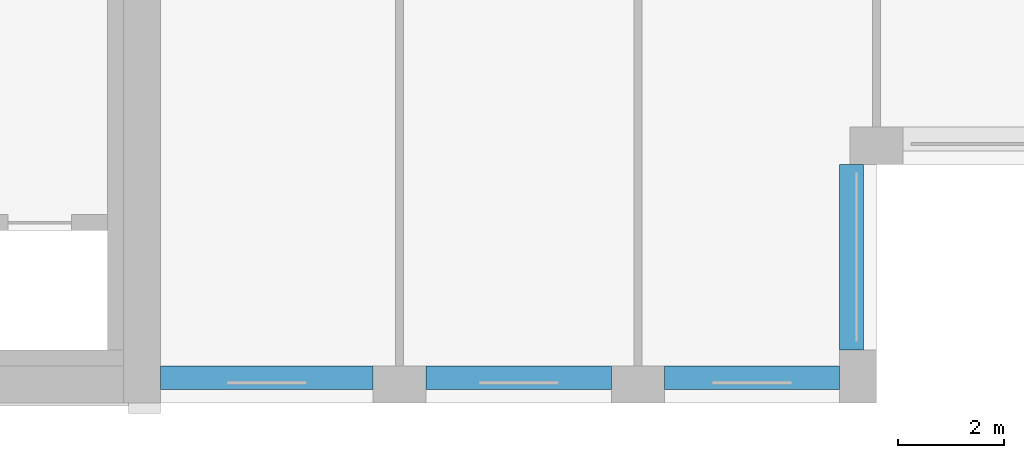
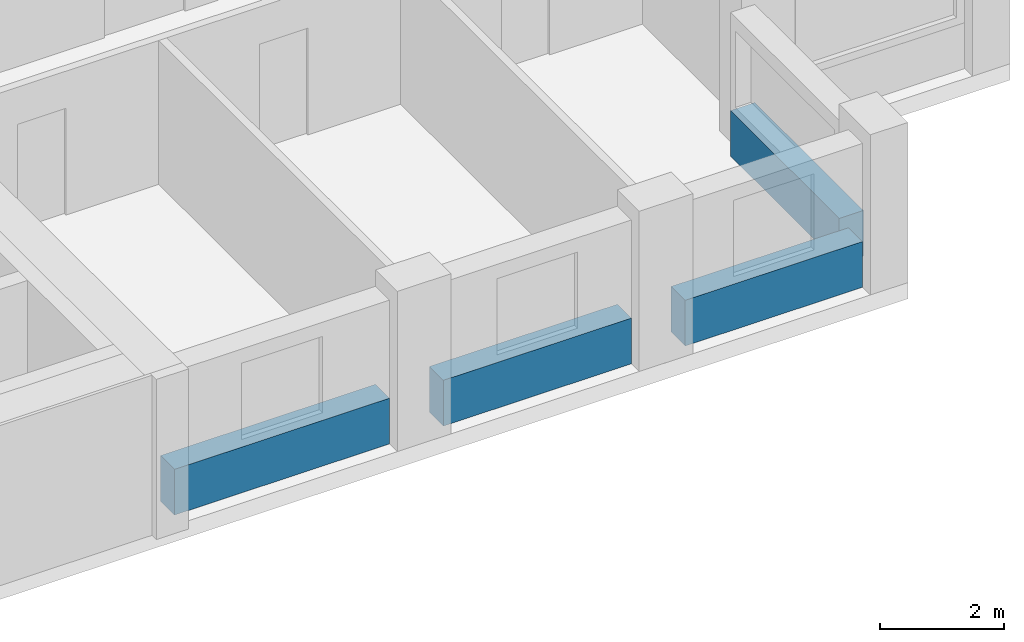
# One storey, part 3 of 15: 4 beams.
"""IFC4 building model written with IfcOpenShell, lengths in metres."""

from ifc_helpers import new_model, si_unit, direction, frame, origin, origin_2d, place, context, subcontext, project, spatial, rectangle, extrude, material, material_profile, profile_set, type_object, element, save


model = new_model("IFC4")

# Units and contexts
model_context = context("Model", 3, precision=1e-05, world=origin(), true_north=direction((0.0, 1.0)))
body_context = subcontext(model_context, "Body", "Model", "MODEL_VIEW")
ifc_project = project(units=[si_unit("LENGTHUNIT", "METRE"), si_unit("AREAUNIT", "SQUARE_METRE"), si_unit("VOLUMEUNIT", "CUBIC_METRE"), si_unit("PLANEANGLEUNIT", "RADIAN"), si_unit("MASSUNIT", "GRAM", prefix="KILO")], contexts=[model_context])

# Site, building, storey
site_placement = place(None, origin())
site = spatial("IfcSite", under=ifc_project, at=site_placement, CompositionType="ELEMENT")
building_placement = place(site_placement, origin())
building = spatial("IfcBuilding", under=site, at=building_placement, Name="Brigalow Station Residences", CompositionType="ELEMENT")
storey_placement = place(building_placement, frame((0.0, 0.0, 153.89990234375)))
storey = spatial("IfcBuildingStorey", under=building, at=storey_placement, Name="L44", CompositionType="ELEMENT", Elevation=153.89990234375)

# Beams
ifc_material = material(Name="Concrete C50", Category="concrete")
ifc_material_profile = material_profile(ifc_material, rectangle(XDim=0.449951171875, YDim=0.89990234375, at=origin_2d()), Name="RC450x900")
ifc_profile_set = profile_set([ifc_material_profile], Name="Concrete C50")
beam_type = type_object("IfcBeamType", Name="SPANDREL BEAM 450x900 C50", PredefinedType="SPANDREL", material=ifc_profile_set)
beam_1_placement = place(storey_placement, frame((54.0, 0.47509765625, 0.4501953125), z_axis=(1.0, 0.0, 0.0), x_axis=(0.0, 1.0, 0.0)))
element("IfcBeam", 1, at=beam_1_placement, inside=storey, type_object=beam_type, Name="L44/spandrel/W-L44-4", PredefinedType="SPANDREL", context=body_context, shape_type="SweptSolid", body=[
    extrude(rectangle(XDim=0.449951171875, YDim=0.89990234375, at=origin_2d()), origin(), (0.0, 0.0, 1.0), 4.0),
])
beam_2_placement = place(storey_placement, frame((59.0, 0.47509765625, 0.4501953125), z_axis=(1.0, 0.0, 0.0), x_axis=(0.0, 1.0, 0.0)))
element("IfcBeam", 2, at=beam_2_placement, inside=storey, type_object=beam_type, Name="L44/spandrel/W-L44-5", PredefinedType="SPANDREL", context=body_context, shape_type="SweptSolid", body=[
    extrude(rectangle(XDim=0.449951171875, YDim=0.89990234375, at=origin_2d()), origin(), (0.0, 0.0, 1.0), 3.5),
])
beam_3_placement = place(storey_placement, frame((63.5, 0.47509765625, 0.4501953125), z_axis=(1.0, 0.0, 0.0), x_axis=(0.0, 1.0, 0.0)))
element("IfcBeam", 3, at=beam_3_placement, inside=storey, type_object=beam_type, Name="L44/spandrel/W-L44-6", PredefinedType="SPANDREL", context=body_context, shape_type="SweptSolid", body=[
    extrude(rectangle(XDim=0.449951171875, YDim=0.89990234375, at=origin_2d()), origin(), (0.0, 0.0, 1.0), 3.300048828125),
])
beam_4_placement = place(storey_placement, frame((67.02490234375, 1.0, 0.4501953125), z_axis=(0.0, 1.0, 0.0), x_axis=(-1.0, 0.0, 0.0)))
element("IfcBeam", 4, at=beam_4_placement, inside=storey, type_object=beam_type, Name="L44/spandrel/W-L44-7", PredefinedType="SPANDREL", context=body_context, shape_type="SweptSolid", body=[
    extrude(rectangle(XDim=0.449951171875, YDim=0.89990234375, at=origin_2d()), origin(), (0.0, 0.0, 1.0), 3.5),
])

save(model, "model.ifc")
